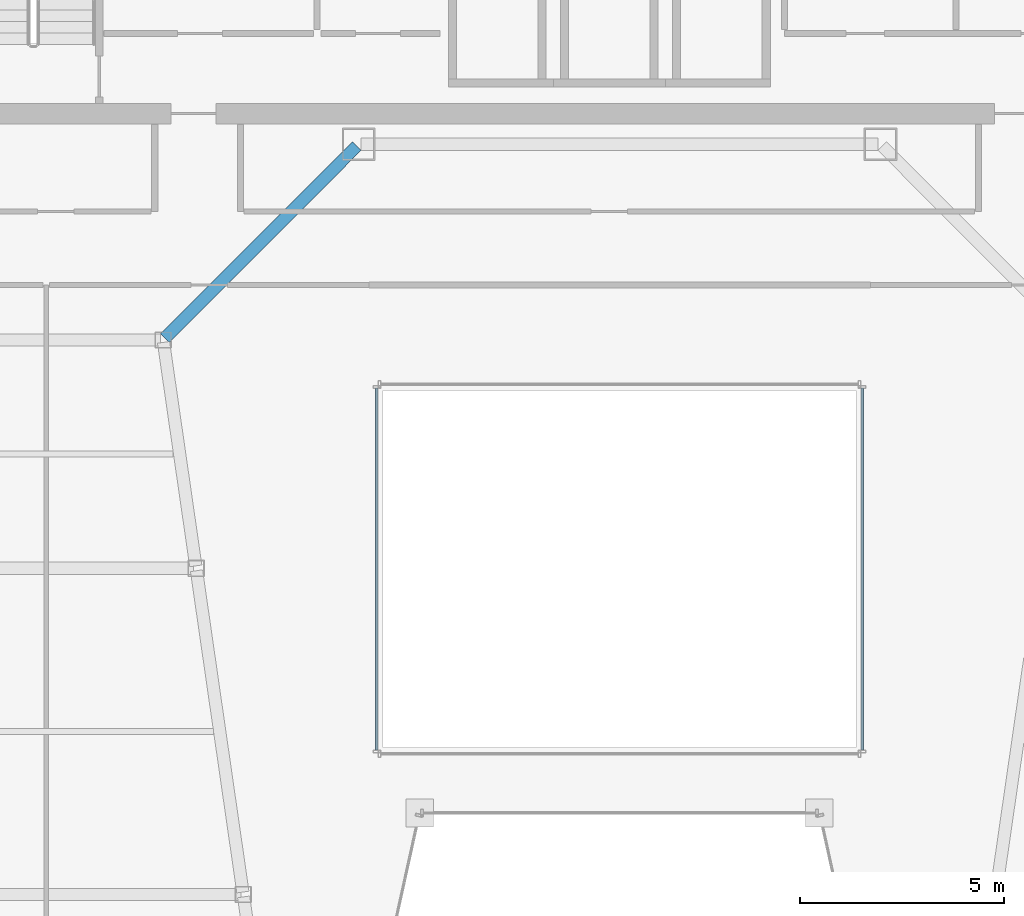
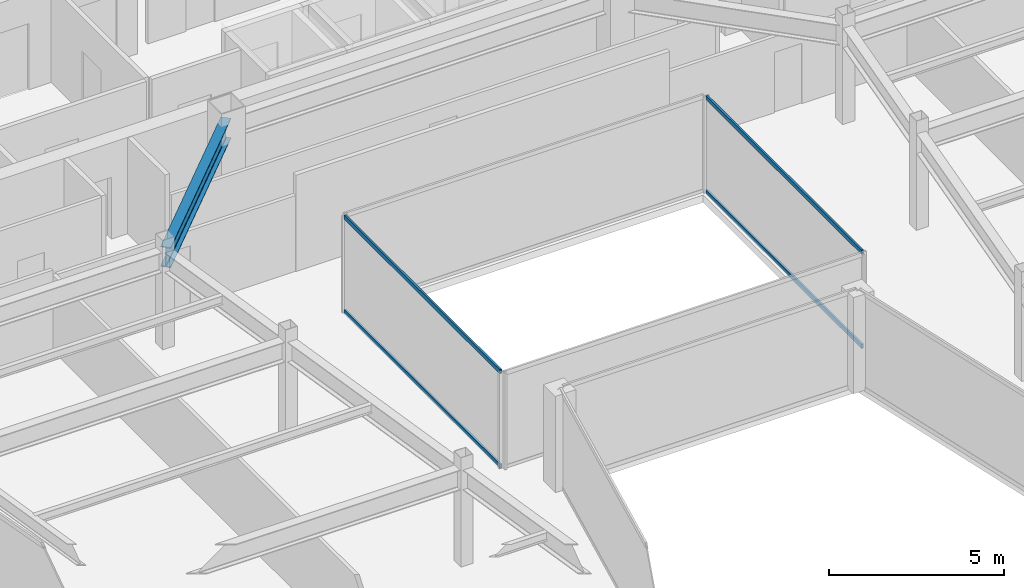
# One storey, part 12 of 34: 4 members, 1 beam, 2 elements without a shape of their own.
"""IFC4 building model written with IfcOpenShell, lengths in metres."""

import ifcopenshell
import ifcopenshell.guid

model = None  # the IFC model being written
_history = None  # IfcOwnerHistory: only IFC2X3 demands one
_inside = {}  # id of a spatial element -> (the spatial element, [elements in it])
_under = {}  # id of a project, library or spatial element -> (it, [spatial elements below it])
_declared = {}  # id of a project -> (the project, [libraries it declares])
_typed = {}  # id of a type object -> (the type object, [elements of that type])
_made_of = {}  # id of a material, layer set ... -> (it, [elements and type objects made of it])


def new_model(schema):
    """Start an empty IFC model of exactly this schema.

    Asked for "IFC4X3", IfcOpenShell would pick the latest addendum, in which some entities
    have other attributes; the version numbers below select the first issue.
    IFC2X3 requires an IfcOwnerHistory on every rooted entity: one is made here for all.
    """
    global model, _history
    if schema == "IFC4X3":
        model = ifcopenshell.file(schema_version=(4, 3, 0, 0))
    else:
        model = ifcopenshell.file(schema=schema)
    _inside.clear()
    _under.clear()
    _declared.clear()
    _typed.clear()
    _made_of.clear()
    _history = None
    if model.schema == "IFC2X3":
        org = make("IfcOrganization", Name="unknown")
        user = make(
            "IfcPersonAndOrganization",
            ThePerson=make("IfcPerson", FamilyName="unknown"),
            TheOrganization=org,
        )
        app = make(
            "IfcApplication",
            ApplicationDeveloper=org,
            Version="unknown",
            ApplicationFullName="unknown",
            ApplicationIdentifier="unknown",
        )
        _history = make(
            "IfcOwnerHistory",
            OwningUser=user,
            OwningApplication=app,
            ChangeAction="ADDED",
            CreationDate=0,
        )
    return model


def make(cls, **values):
    """One entity of the class cls with the attributes given. An attribute that is None is left unset."""
    return model.create_entity(
        cls, **{name: value for name, value in values.items() if value is not None}
    )


def rooted(cls, **values):
    """An entity with a GlobalId (a new one), such as an element, a storey or a relation."""
    return make(cls, GlobalId=ifcopenshell.guid.new(), OwnerHistory=_history, **values)


def si_unit(unit_type, name, prefix=None):
    """IfcSIUnit, for example si_unit("LENGTHUNIT", "METRE", prefix="MILLI")."""
    return make("IfcSIUnit", UnitType=unit_type, Prefix=prefix, Name=name)


def assignment(units):
    """IfcUnitAssignment: the units of a project."""
    return None if units is None else make("IfcUnitAssignment", Units=units)


def point(xyz):
    """IfcCartesianPoint."""
    return None if xyz is None else make("IfcCartesianPoint", Coordinates=xyz)


def direction(xyz):
    """IfcDirection."""
    return None if xyz is None else make("IfcDirection", DirectionRatios=xyz)


def frame(location, z_axis=None, x_axis=None):
    """IfcAxis2Placement3D, a coordinate frame: its origin and axes. An axis left out is left unset."""
    return make(
        "IfcAxis2Placement3D",
        Location=point(location),
        Axis=direction(z_axis),
        RefDirection=direction(x_axis),
    )


def frame_2d(location, x_axis=None):
    """IfcAxis2Placement2D, a coordinate frame in the plane: its origin and x axis."""
    return make(
        "IfcAxis2Placement2D", Location=point(location), RefDirection=direction(x_axis)
    )


def origin():
    """The frame at (0, 0, 0) with its axes left unset."""
    return frame((0.0, 0.0, 0.0))


def origin_2d():
    """The frame at (0, 0) in the plane with its x axis left unset."""
    return frame_2d((0.0, 0.0))


def place(relative_to, where):
    """IfcLocalPlacement: puts the frame where relative to a parent placement (None: the world)."""
    return make(
        "IfcLocalPlacement", PlacementRelTo=relative_to, RelativePlacement=where
    )


def context(
    kind, dimensions, precision=None, world=None, true_north=None, identifier=None
):
    """IfcGeometricRepresentationContext, for example the 3D "Model" context."""
    return make(
        "IfcGeometricRepresentationContext",
        ContextIdentifier=identifier,
        ContextType=kind,
        CoordinateSpaceDimension=dimensions,
        Precision=precision,
        WorldCoordinateSystem=world,
        TrueNorth=true_north,
    )


def subcontext(parent, identifier, kind, view, scale=None):
    """IfcGeometricRepresentationSubContext, for example "Body" below "Model"."""
    return make(
        "IfcGeometricRepresentationSubContext",
        ContextIdentifier=identifier,
        ContextType=kind,
        ParentContext=parent,
        TargetScale=scale,
        TargetView=view,
    )


def project(units=None, contexts=None):
    """IfcProject with its units and contexts."""
    return rooted(
        "IfcProject",
        Name="project",
        RepresentationContexts=contexts,
        UnitsInContext=assignment(units),
    )


def spatial(cls, under=None, at=None, **own):
    """A site, building, storey or space (cls), placed at a placement, below another one or the project."""
    s = rooted(cls, ObjectPlacement=at, **own)
    if under is not None:
        _under.setdefault(under.id(), (under, []))[1].append(s)
    return s


def profile(cls, at=None, kind="AREA", **sizes):
    """A parametric profile (cls). Its sizes go by their IFC names, for example OverallWidth=200.0."""
    return make(cls, ProfileType=kind, Position=at, **sizes)


def hollow_rectangle(**sizes):
    """IfcRectangleHollowProfileDef."""
    return profile("IfcRectangleHollowProfileDef", **sizes)


def i_section(**sizes):
    """IfcIShapeProfileDef."""
    return profile("IfcIShapeProfileDef", **sizes)


def extrude(swept, where, along, depth):
    """IfcExtrudedAreaSolid: the profile swept, set in the frame where, extruded along a direction by depth."""
    return make(
        "IfcExtrudedAreaSolid",
        SweptArea=swept,
        Position=where,
        ExtrudedDirection=direction(along),
        Depth=depth,
    )


def shape(context_of_items, identifier, shape_type, items):
    """IfcShapeRepresentation: the items that make up one representation, for example the "Body"."""
    return make(
        "IfcShapeRepresentation",
        ContextOfItems=context_of_items,
        RepresentationIdentifier=identifier,
        RepresentationType=shape_type,
        Items=items,
    )


def material(Name=None, Category=None):
    """IfcMaterial."""
    return make("IfcMaterial", Name=Name, Category=Category)


def material_profile(
    of_material, cross_section, Name=None, Category=None, Priority=None
):
    """IfcMaterialProfile: a cross section and its material."""
    return make(
        "IfcMaterialProfile",
        Name=Name,
        Material=of_material,
        Profile=cross_section,
        Priority=Priority,
        Category=Category,
    )


def profile_set(profiles, Name=None, composite=None):
    """IfcMaterialProfileSet."""
    return make(
        "IfcMaterialProfileSet",
        Name=Name,
        MaterialProfiles=profiles,
        CompositeProfile=composite,
    )


def made_of(thing, what):
    """Note that an element or type object is made of a material, layer set ...; save() writes the relation."""
    if what is not None:
        _made_of.setdefault(what.id(), (what, []))[1].append(thing)
    return thing


def type_object(cls, material=None, **own):
    """A type object (cls), such as IfcWallType, which elements share."""
    return made_of(rooted(cls, **own), material)


def element(
    cls,
    number,
    at=None,
    inside=None,
    cuts=None,
    type_object=None,
    material=None,
    context=None,
    identifier="Body",
    shape_type=None,
    held_by="IfcProductDefinitionShape",
    body=None,
    shapes=None,
    **own,
):
    """One element of the class cls, such as IfcWall. Its Tag is "e" and its number.

    at: its placement. inside: the storey or other place that contains it. cuts: it is an
    opening in that element (IfcRelVoidsElement). A single representation is given by context,
    identifier, shape_type and body (its items); several are given by shapes. held_by: the class
    of the entity that holds the representations. save() writes the other relations.
    """
    e = rooted(cls, Tag="e%d" % number, ObjectPlacement=at, **own)
    if body is not None:
        shapes = [shape(context, identifier, shape_type, body)]
    if shapes is not None:
        e.Representation = make(held_by, Representations=shapes)
    if inside is not None:
        _inside.setdefault(inside.id(), (inside, []))[1].append(e)
    if cuts is not None:
        rooted(
            "IfcRelVoidsElement", RelatingBuildingElement=cuts, RelatedOpeningElement=e
        )
    if type_object is not None:
        _typed.setdefault(type_object.id(), (type_object, []))[1].append(e)
    return made_of(e, material)


def aggregate(whole, parts):
    """IfcRelAggregates: a whole, such as a stair, and the parts it consists of."""
    return rooted("IfcRelAggregates", RelatingObject=whole, RelatedObjects=parts)


def save(model, path):
    """Write the relations noted so far, then the file.

    IfcRelAggregates (storeys below a building ...), IfcRelContainedInSpatialStructure (elements
    in a storey), IfcRelDefinesByType, IfcRelAssociatesMaterial and IfcRelDeclares: one each for
    every whole, place, type object, material and project.
    """
    for whole, parts in _under.values():
        aggregate(whole, parts)
    for where, things in _inside.values():
        rooted(
            "IfcRelContainedInSpatialStructure",
            RelatedElements=things,
            RelatingStructure=where,
        )
    for kind, things in _typed.values():
        rooted("IfcRelDefinesByType", RelatedObjects=things, RelatingType=kind)
    for what, things in _made_of.values():
        rooted("IfcRelAssociatesMaterial", RelatedObjects=things, RelatingMaterial=what)
    for by, libraries in _declared.values():
        rooted("IfcRelDeclares", RelatingContext=by, RelatedDefinitions=libraries)
    model.write(path)


model = new_model("IFC4")

# Units and contexts
model_context = context("Model", 3, precision=1e-05, world=origin(), true_north=direction((0.0, 1.0)))
body_context = subcontext(model_context, "Body", "Model", "MODEL_VIEW")
ifc_project = project(units=[si_unit("LENGTHUNIT", "METRE"), si_unit("AREAUNIT", "SQUARE_METRE"), si_unit("VOLUMEUNIT", "CUBIC_METRE"), si_unit("PLANEANGLEUNIT", "RADIAN"), si_unit("MASSUNIT", "GRAM", prefix="KILO")], contexts=[model_context])

# Site, building, storey
site_placement = place(None, origin())
site = spatial("IfcSite", under=ifc_project, at=site_placement, CompositionType="ELEMENT")
building_placement = place(site_placement, origin())
building = spatial("IfcBuilding", under=site, at=building_placement, Name="Saevonmaru Cultural Tower", CompositionType="ELEMENT")
storey_placement = place(building_placement, frame((0.0, 0.0, 220.800048828125)))
storey = spatial("IfcBuildingStorey", under=building, at=storey_placement, Name="L51", CompositionType="ELEMENT", Elevation=220.800048828125)

# Beam
ifc_material_1 = material(Name="Steel SM355", Category="steel")
ifc_material_profile_1 = material_profile(ifc_material_1, i_section(OverallWidth=0.300048828125, OverallDepth=0.699951171875, WebThickness=0.012939453125, FlangeThickness=0.02392578125, FilletRadius=0.02587890625, at=origin_2d()), Name="H-700x300x13x24")
ifc_profile_set_1 = profile_set([ifc_material_profile_1], Name="Steel SM355")
beam_type = type_object("IfcBeamType", Name="BM-G-H700", PredefinedType="BEAM", material=ifc_profile_set_1)
beam_placement = place(storey_placement, frame((18.850341796875, 37.642578125, 3.0), z_axis=(0.706538566564, 0.707674539572, 0.0), x_axis=(-0.707674539572, 0.706538566564, 0.0)))
element("IfcBeam", 1, at=beam_placement, inside=storey, type_object=beam_type, Name="L51 West Atrium Girder 4", PredefinedType="BEAM", context=body_context, shape_type="SweptSolid", body=[
    extrude(i_section(OverallWidth=0.300048828125, OverallDepth=0.699951171875, WebThickness=0.012939453125, FlangeThickness=0.02392578125, FilletRadius=0.02587890625, at=origin_2d()), origin(), (0.0, 0.0, 1.0), 6.662353515625),
])

# Curtain wall, members
ifc_material_2 = material(Name="Satin Bronze Anodised Aluminium", Category="aluminium")
curtain_wall_type = type_object("IfcCurtainWallType", Name="CW-ATR-GLZ", PredefinedType="NOTDEFINED", material=ifc_material_2)
curtain_wall_1_placement = place(storey_placement, origin())
curtain_wall_1 = element("IfcCurtainWall", 2, at=curtain_wall_1_placement, inside=storey, type_object=curtain_wall_type, Name="L51 Vertical Atrium Glazed Smoke Screen 2", PredefinedType="NOTDEFINED")
ifc_material_profile_2 = material_profile(ifc_material_2, hollow_rectangle(XDim=0.06494140625, YDim=0.14990234375, WallThickness=0.00390625, at=origin_2d()), Name="ALU-TRAN-150x65x4")
ifc_profile_set_2 = profile_set([ifc_material_profile_2], Name="Satin Bronze Anodised Aluminium")
member_type = type_object("IfcMemberType", Name="TR-CW-INT-150x65", PredefinedType="USERDEFINED", material=ifc_profile_set_2)
member_1_placement = place(storey_placement, frame((35.949951171875, 27.54248046875, 0.032470703125), z_axis=(0.0, 1.0, 0.0), x_axis=(-1.0, 0.0, 0.0)))
member_1 = element("IfcMember", 3, at=member_1_placement, type_object=member_type, Name="CW-ATR-L51-2 transom 1.1", ObjectType="TRANSOM", PredefinedType="USERDEFINED", context=body_context, shape_type="SweptSolid", body=[
    extrude(hollow_rectangle(XDim=0.06494140625, YDim=0.14990234375, WallThickness=0.00390625, at=origin_2d()), origin(), (0.0, 0.0, 1.0), 8.875),
])
member_2_placement = place(storey_placement, frame((35.949951171875, 27.54248046875, 3.3173828125), z_axis=(0.0, 1.0, 0.0), x_axis=(-1.0, 0.0, 0.0)))
member_2 = element("IfcMember", 4, at=member_2_placement, type_object=member_type, Name="CW-ATR-L51-2 transom 1.2", ObjectType="TRANSOM", PredefinedType="USERDEFINED", context=body_context, shape_type="SweptSolid", body=[
    extrude(hollow_rectangle(XDim=0.06494140625, YDim=0.14990234375, WallThickness=0.00390625, at=origin_2d()), origin(), (0.0, 0.0, 1.0), 8.875),
])
aggregate(curtain_wall_1, [member_1, member_2])

curtain_wall_2_placement = place(storey_placement, origin())
curtain_wall_2 = element("IfcCurtainWall", 5, at=curtain_wall_2_placement, inside=storey, type_object=curtain_wall_type, Name="L51 Vertical Atrium Glazed Smoke Screen 4", PredefinedType="NOTDEFINED")
member_3_placement = place(storey_placement, frame((24.050048828125, 36.41748046875, 0.032470703125), z_axis=(0.0, -1.0, 0.0), x_axis=(1.0, 0.0, 0.0)))
member_3 = element("IfcMember", 6, at=member_3_placement, type_object=member_type, Name="CW-ATR-L51-4 transom 1.1", ObjectType="TRANSOM", PredefinedType="USERDEFINED", context=body_context, shape_type="SweptSolid", body=[
    extrude(hollow_rectangle(XDim=0.06494140625, YDim=0.14990234375, WallThickness=0.00390625, at=origin_2d()), origin(), (0.0, 0.0, 1.0), 8.875),
])
member_4_placement = place(storey_placement, frame((24.050048828125, 36.41748046875, 3.3173828125), z_axis=(0.0, -1.0, 0.0), x_axis=(1.0, 0.0, 0.0)))
member_4 = element("IfcMember", 7, at=member_4_placement, type_object=member_type, Name="CW-ATR-L51-4 transom 1.2", ObjectType="TRANSOM", PredefinedType="USERDEFINED", context=body_context, shape_type="SweptSolid", body=[
    extrude(hollow_rectangle(XDim=0.06494140625, YDim=0.14990234375, WallThickness=0.00390625, at=origin_2d()), origin(), (0.0, 0.0, 1.0), 8.875),
])
aggregate(curtain_wall_2, [member_3, member_4])

save(model, "model.ifc")
